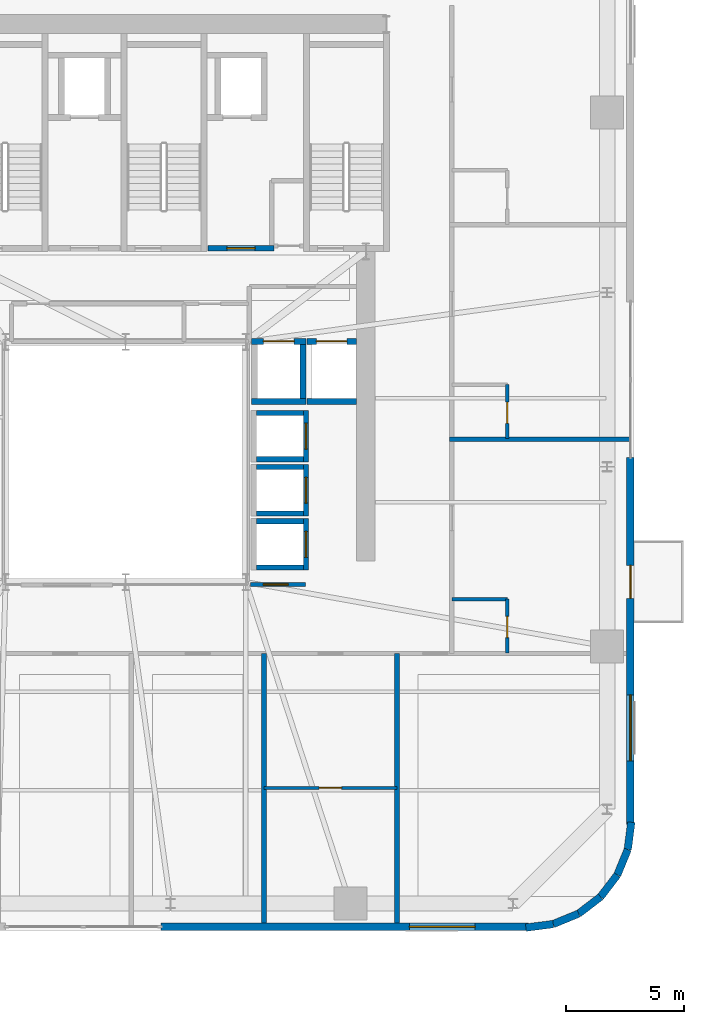
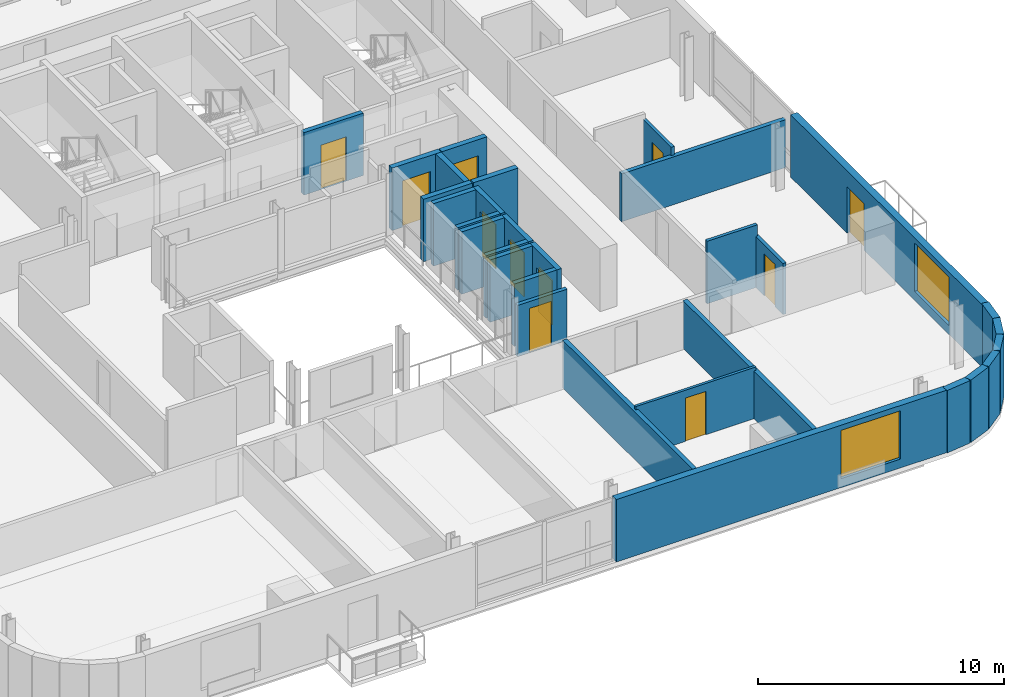
# One storey, part 8 of 13: 31 walls, 11 doors, 2 windows, 13 openings.
"""IFC4 building model written with IfcOpenShell, lengths in metres."""

from ifc_helpers import new_model, si_unit, direction, frame, frame_2d, origin, place, context, subcontext, project, spatial, rectangle, extrude, source, transform, mapped, material, layer, layer_set, type_object, element, fill, save


model = new_model("IFC4")

# Units and contexts
model_context = context("Model", 3, precision=1e-05, world=origin(), true_north=direction((0.0, 1.0)))
body_context = subcontext(model_context, "Body", "Model", "MODEL_VIEW")
ifc_project = project(units=[si_unit("LENGTHUNIT", "METRE"), si_unit("AREAUNIT", "SQUARE_METRE"), si_unit("VOLUMEUNIT", "CUBIC_METRE"), si_unit("PLANEANGLEUNIT", "RADIAN"), si_unit("MASSUNIT", "GRAM", prefix="KILO")], contexts=[model_context])

# Site, building, storey
site_placement = place(None, origin())
site = spatial("IfcSite", under=ifc_project, at=site_placement, CompositionType="ELEMENT")
building_placement = place(site_placement, origin())
building = spatial("IfcBuilding", under=site, at=building_placement, Name="Vardaveli Station Tower", CompositionType="ELEMENT")
storey_placement = place(building_placement, frame((0.0, 0.0, 233.550048828125)))
storey = spatial("IfcBuildingStorey", under=building, at=storey_placement, Name="L60", CompositionType="ELEMENT", Elevation=233.550048828125)

# Wall, opening, window
ifc_material_1 = material(Name="Precast concrete C45/55", Category="concrete")
ifc_layer_1 = layer(ifc_material_1, 0.320068359375, Name="Precast concrete C45/55")
ifc_layer_set_1 = layer_set([ifc_layer_1], Name="Precast concrete C45/55")
wall_type_1 = type_object("IfcWallType", Name="WAL-EXT-STONE-320", PredefinedType="SOLIDWALL", material=ifc_layer_set_1)
shared_shape_1 = source(origin(), body_context, "Body", "SweptSolid", [
    extrude(rectangle(XDim=15.599853515625, YDim=0.320068359375, at=frame_2d((7.7998046875, 0.0))), origin(), (0.0, 0.0, 1.0), 3.099853515625),
])
wall_1_placement = place(storey_placement, frame((37.800048828125, 1.9599609375, 0.0), z_axis=(0.0, 0.0, 1.0), x_axis=(1.0, 0.0, 0.0)))
wall_1 = element("IfcWall", 1, at=wall_1_placement, inside=storey, type_object=wall_type_1, Name="EW-L60-S2", PredefinedType="SOLIDWALL", context=body_context, shape_type="MappedRepresentation", body=[
    mapped(shared_shape_1, transform((0.0, 0.0, 0.0), scale=1.0)),
])
shared_shape_2 = source(origin(), body_context, "Body", "SweptSolid", [
    extrude(rectangle(XDim=2.800048828125, YDim=2.39990234375, at=frame_2d((1.39990234375, 1.199951171875))), frame((0.0, 0.169921875, 0.0), z_axis=(0.0, -1.0, 0.0), x_axis=(1.0, 0.0, 0.0)), (0.0, 0.0, 1.0), 0.340087890625),
])
opening_1_placement = place(wall_1_placement, frame((10.544921875, 0.0, 0.43994140625)))
opening_1 = element("IfcOpeningElement", 2, at=opening_1_placement, cuts=wall_1, Name="Opening W-04", PredefinedType="OPENING", context=body_context, shape_type="MappedRepresentation", body=[
    mapped(shared_shape_2, transform((0.0, 0.0, 0.0), scale=1.0)),
])
ifc_material_2 = material(Name="Low-E solar-control glass", Category="glass")
window_type = type_object("IfcWindowType", Name="WIN-SUITE-2800x2400", PartitioningType="SINGLE_PANEL", PredefinedType="WINDOW", material=ifc_material_2)
shared_shape_3 = source(origin(), body_context, "Body", "SweptSolid", [
    extrude(rectangle(XDim=2.800048828125, YDim=2.39990234375, at=frame_2d((1.39990234375, 1.199951171875))), frame((0.0, 0.030029296875, 0.0), z_axis=(0.0, -1.0, 0.0), x_axis=(1.0, 0.0, 0.0)), (0.0, 0.0, 1.0), 0.06005859375),
])
window_1_placement = place(opening_1_placement, origin())
window_1 = element("IfcWindow", 3, at=window_1_placement, inside=storey, type_object=window_type, Name="WN-L60-S2", OverallHeight=2.39990234375, OverallWidth=2.800048828125, PartitioningType="SINGLE_PANEL", PredefinedType="WINDOW", context=body_context, shape_type="MappedRepresentation", body=[
    mapped(shared_shape_3, transform((0.0, 0.0, 0.0), scale=1.0)),
])
fill(opening_1, window_1)

# Wall, openings, door, window
wall_2_placement = place(storey_placement, frame((57.739990234375, 6.300048828125, 0.0), z_axis=(0.0, 0.0, 1.0), x_axis=(0.0, 1.0, 0.0)))
wall_2 = element("IfcWall", 4, at=wall_2_placement, inside=storey, type_object=wall_type_1, Name="EW-L60-E1", PredefinedType="SOLIDWALL", context=body_context, shape_type="MappedRepresentation", body=[
    mapped(shared_shape_1, transform((0.0, 0.0, 0.0), scale=1.0)),
])
shared_shape_4 = source(origin(), body_context, "Body", "SweptSolid", [
    extrude(rectangle(XDim=1.39990234375, YDim=2.300048828125, at=frame_2d((0.699951171875, 1.14990234375))), frame((0.0, 0.169921875, 0.0), z_axis=(0.0, -1.0, 0.0), x_axis=(1.0, 0.0, 0.0)), (0.0, 0.0, 1.0), 0.340087890625),
])
opening_2_placement = place(wall_2_placement, frame((9.6103515625, 0.0, 0.0)))
opening_2 = element("IfcOpeningElement", 5, at=opening_2_placement, cuts=wall_2, Name="Opening D-09", PredefinedType="OPENING", context=body_context, shape_type="MappedRepresentation", body=[
    mapped(shared_shape_4, transform((0.0, 0.0, 0.0), scale=1.0)),
])
opening_3_placement = place(wall_2_placement, frame((2.705078125, 0.0, 0.43994140625)))
opening_3 = element("IfcOpeningElement", 6, at=opening_3_placement, cuts=wall_2, Name="Opening W-04", PredefinedType="OPENING", context=body_context, shape_type="MappedRepresentation", body=[
    mapped(shared_shape_2, transform((0.0, 0.0, 0.0), scale=1.0)),
])
ifc_material_3 = material(Name="Thermally broken aluminium glass", Category="aluminium")
door_type_1 = type_object("IfcDoorType", Name="DR-LOG-1400x2300", OperationType="DOUBLE_DOOR_SLIDING", PredefinedType="DOOR", material=ifc_material_3)
shared_shape_5 = source(origin(), body_context, "Body", "SweptSolid", [
    extrude(rectangle(XDim=1.39990234375, YDim=2.300048828125, at=frame_2d((0.699951171875, 1.14990234375))), frame((0.0, 0.02490234375, 0.0), z_axis=(0.0, -1.0, 0.0), x_axis=(1.0, 0.0, 0.0)), (0.0, 0.0, 1.0), 0.050048828125),
])
door_1_placement = place(opening_2_placement, frame((1.39990234375, 0.0, 0.0), z_axis=(0.0, 0.0, 1.0), x_axis=(-1.0, 0.0, 0.0)))
door_1 = element("IfcDoor", 7, at=door_1_placement, inside=storey, type_object=door_type_1, Name="DLG-L60-E", OperationType="DOUBLE_DOOR_SLIDING", OverallHeight=2.300048828125, OverallWidth=1.39990234375, PredefinedType="DOOR", context=body_context, shape_type="MappedRepresentation", body=[
    mapped(shared_shape_5, transform((0.0, 0.0, 0.0), scale=1.0)),
])
fill(opening_2, door_1)
window_2_placement = place(opening_3_placement, origin())
window_2 = element("IfcWindow", 8, at=window_2_placement, inside=storey, type_object=window_type, Name="WN-L60-E1", OverallHeight=2.39990234375, OverallWidth=2.800048828125, PartitioningType="SINGLE_PANEL", PredefinedType="WINDOW", context=body_context, shape_type="MappedRepresentation", body=[
    mapped(shared_shape_3, transform((0.0, 0.0, 0.0), scale=1.0)),
])
fill(opening_3, window_2)

# Walls
shared_shape_6 = source(origin(), body_context, "Body", "SweptSolid", [
    extrude(rectangle(XDim=1.170654296875, YDim=0.320068359375, at=frame_2d((0.58544921875, 0.0))), origin(), (0.0, 0.0, 1.0), 3.099853515625),
])
wall_3_placement = place(storey_placement, frame((57.62548828125, 5.23974609375, 0.0), z_axis=(0.0, 0.0, 1.0), x_axis=(0.128269133229, 0.991739395941, 0.0)))
element("IfcWall", 9, at=wall_3_placement, inside=storey, type_object=wall_type_1, Name="EW-L60-CR2-6", PredefinedType="SOLIDWALL", context=body_context, shape_type="MappedRepresentation", body=[
    mapped(shared_shape_6, transform((0.0, 0.0, 0.0), scale=1.0)),
])
shared_shape_7 = source(origin(), body_context, "Body", "SweptSolid", [
    extrude(rectangle(XDim=1.1689453125, YDim=0.320068359375, at=frame_2d((0.58447265625, 0.0))), origin(), (0.0, 0.0, 1.0), 3.099853515625),
])
for number, where, z_axis, x_axis, name in (
    (10, (56.46875, 3.231201171875, 0.0), (0.0, 0.0, 1.0), (0.608387696831, 0.793639975269, 0.0), "EW-L60-CR2-4"),
    (11, (57.179931640625, 4.158935546875, 0.0), (0.0, 0.0, 1.0), (0.381127904695, 0.924522320046, 0.0), "EW-L60-CR2-5"),
):
    element("IfcWall", number, at=place(storey_placement, frame(where, z_axis=z_axis, x_axis=x_axis)), inside=storey, type_object=wall_type_1, Name=name, PredefinedType="SOLIDWALL", context=body_context, shape_type="MappedRepresentation", body=[
        mapped(shared_shape_7, transform((0.0, 0.0, 0.0), scale=1.0)),
    ])
shared_shape_8 = source(origin(), body_context, "Body", "SweptSolid", [
    extrude(rectangle(XDim=1.168701171875, YDim=0.320068359375, at=frame_2d((0.58447265625, 0.0))), origin(), (0.0, 0.0, 1.0), 3.099853515625),
])
wall_4_placement = place(storey_placement, frame((55.541259765625, 2.520263671875, 0.0), z_axis=(0.0, 0.0, 1.0), x_axis=(0.793663520347, 0.608356981114, 0.0)))
element("IfcWall", 12, at=wall_4_placement, inside=storey, type_object=wall_type_1, Name="EW-L60-CR2-3", PredefinedType="SOLIDWALL", context=body_context, shape_type="MappedRepresentation", body=[
    mapped(shared_shape_8, transform((0.0, 0.0, 0.0), scale=1.0)),
])
shared_shape_9 = source(origin(), body_context, "Body", "SweptSolid", [
    extrude(rectangle(XDim=1.16943359375, YDim=0.320068359375, at=frame_2d((0.584716796875, 0.0))), origin(), (0.0, 0.0, 1.0), 3.099853515625),
])
wall_5_placement = place(storey_placement, frame((54.460205078125, 2.074462890625, 0.0), z_axis=(0.0, 0.0, 1.0), x_axis=(0.924479075121, 0.381232789334, 0.0)))
element("IfcWall", 13, at=wall_5_placement, inside=storey, type_object=wall_type_1, Name="EW-L60-CR2-2", PredefinedType="SOLIDWALL", context=body_context, shape_type="MappedRepresentation", body=[
    mapped(shared_shape_9, transform((0.0, 0.0, 0.0), scale=1.0)),
])
shared_shape_10 = source(origin(), body_context, "Body", "SweptSolid", [
    extrude(rectangle(XDim=1.170166015625, YDim=0.320068359375, at=frame_2d((0.5849609375, 0.0))), origin(), (0.0, 0.0, 1.0), 3.099853515625),
])
wall_6_placement = place(storey_placement, frame((53.299560546875, 1.924560546875, 0.0), z_axis=(0.0, 0.0, 1.0), x_axis=(0.991762485493, 0.128090485085, 0.0)))
element("IfcWall", 14, at=wall_6_placement, inside=storey, type_object=wall_type_1, Name="EW-L60-CR2-1", PredefinedType="SOLIDWALL", context=body_context, shape_type="MappedRepresentation", body=[
    mapped(shared_shape_10, transform((0.0, 0.0, 0.0), scale=1.0)),
])

# Wall, opening, door
ifc_material_4 = material(Name="Concrete C40/50", Category="concrete")
ifc_layer_2 = layer(ifc_material_4, 0.219970703125, Name="Concrete C40/50")
ifc_layer_set_2 = layer_set([ifc_layer_2], Name="Concrete C40/50")
wall_type_2 = type_object("IfcWallType", Name="WAL-FFLOBBY-220", PredefinedType="SOLIDWALL", material=ifc_layer_set_2)
shared_shape_11 = source(origin(), body_context, "Body", "SweptSolid", [
    extrude(rectangle(XDim=2.800048828125, YDim=0.219970703125, at=frame_2d((1.39990234375, 0.0))), origin(), (0.0, 0.0, 1.0), 3.099853515625),
])
wall_7_placement = place(storey_placement, frame((39.800048828125, 30.780029296875, 0.0), z_axis=(0.0, 0.0, 1.0), x_axis=(1.0, 0.0, 0.0)))
wall_7 = element("IfcWall", 15, at=wall_7_placement, inside=storey, type_object=wall_type_2, Name="W-L60-FFL2S", PredefinedType="SOLIDWALL", context=body_context, shape_type="MappedRepresentation", body=[
    mapped(shared_shape_11, transform((0.0, 0.0, 0.0), scale=1.0)),
])
shared_shape_12 = source(origin(), body_context, "Body", "SweptSolid", [
    extrude(rectangle(XDim=1.199951171875, YDim=2.199951171875, at=frame_2d((0.60009765625, 1.10009765625))), frame((0.0, 0.1201171875, 0.0), z_axis=(0.0, -1.0, 0.0), x_axis=(1.0, 0.0, 0.0)), (0.0, 0.0, 1.0), 0.239990234375),
])
opening_4_placement = place(wall_7_placement, frame((0.800048828125, 0.0, 0.0)))
opening_4 = element("IfcOpeningElement", 16, at=opening_4_placement, cuts=wall_7, Name="Opening D-03", PredefinedType="OPENING", context=body_context, shape_type="MappedRepresentation", body=[
    mapped(shared_shape_12, transform((0.0, 0.0, 0.0), scale=1.0)),
])
ifc_material_5 = material(Name="Steel smokeproof fire doorset", Category="steel")
door_type_2 = type_object("IfcDoorType", Name="DR-FFL-1200x2200", OperationType="NOTDEFINED", PredefinedType="DOOR", material=ifc_material_5)
shared_shape_13 = source(origin(), body_context, "Body", "SweptSolid", [
    extrude(rectangle(XDim=1.199951171875, YDim=2.199951171875, at=frame_2d((0.60009765625, 1.10009765625))), frame((0.0, 0.02490234375, 0.0), z_axis=(0.0, -1.0, 0.0), x_axis=(1.0, 0.0, 0.0)), (0.0, 0.0, 1.0), 0.050048828125),
])
door_2_placement = place(opening_4_placement, origin())
door_2 = element("IfcDoor", 17, at=door_2_placement, inside=storey, type_object=door_type_2, Name="DFFL2-L60", OperationType="SINGLE_SWING_RIGHT", OverallHeight=2.199951171875, OverallWidth=1.199951171875, PredefinedType="DOOR", context=body_context, shape_type="MappedRepresentation", body=[
    mapped(shared_shape_13, transform((0.0, 0.0, 0.0), scale=1.0)),
])
fill(opening_4, door_2)

# Walls
shared_shape_14 = source(origin(), body_context, "Body", "SweptSolid", [
    extrude(rectangle(XDim=2.0, YDim=0.219970703125, at=frame_2d((1.0, 0.0))), origin(), (0.0, 0.0, 1.0), 3.099853515625),
])
for number, where, z_axis, x_axis, name in (
    (18, (41.85009765625, 21.81494140625, 0.0), (0.0, 0.0, 1.0), (1.0, 0.0, 0.0), "SHW-HL3-01-L60-S"),
    (19, (41.85009765625, 23.784912109375, 0.0), (0.0, 0.0, 1.0), (1.0, 0.0, 0.0), "SHW-HL3-01-L60-N"),
    (20, (41.85009765625, 19.514892578125, 0.0), (0.0, 0.0, 1.0), (1.0, 0.0, 0.0), "SHW-HL3-02-L60-S"),
    (21, (41.85009765625, 21.485107421875, 0.0), (0.0, 0.0, 1.0), (1.0, 0.0, 0.0), "SHW-HL3-02-L60-N"),
    (22, (41.85009765625, 17.215087890625, 0.0), (0.0, 0.0, 1.0), (1.0, 0.0, 0.0), "SHW-HL3-03-L60-S"),
    (23, (41.85009765625, 19.18505859375, 0.0), (0.0, 0.0, 1.0), (1.0, 0.0, 0.0), "SHW-HL3-03-L60-N"),
):
    element("IfcWall", number, at=place(storey_placement, frame(where, z_axis=z_axis, x_axis=x_axis)), inside=storey, type_object=wall_type_2, Name=name, PredefinedType="SOLIDWALL", context=body_context, shape_type="MappedRepresentation", body=[
        mapped(shared_shape_14, transform((0.0, 0.0, 0.0), scale=1.0)),
    ])

# Wall, opening, door
shared_shape_15 = source(origin(), body_context, "Body", "SweptSolid", [
    extrude(rectangle(XDim=2.18994140625, YDim=0.219970703125, at=frame_2d((1.094970703125, 0.0))), origin(), (0.0, 0.0, 1.0), 3.099853515625),
])
wall_8_placement = place(storey_placement, frame((43.9599609375, 21.705078125, 0.0), z_axis=(0.0, 0.0, 1.0), x_axis=(0.0, 1.0, 0.0)))
wall_8 = element("IfcWall", 24, at=wall_8_placement, inside=storey, type_object=wall_type_2, Name="SHW-HL3-01-L60-E", PredefinedType="SOLIDWALL", context=body_context, shape_type="MappedRepresentation", body=[
    mapped(shared_shape_15, transform((0.0, 0.0, 0.0), scale=1.0)),
])
shared_shape_16 = source(origin(), body_context, "Body", "SweptSolid", [
    extrude(rectangle(XDim=1.10009765625, YDim=2.199951171875, at=frame_2d((0.550048828125, 1.10009765625))), frame((0.0, 0.1201171875, 0.0), z_axis=(0.0, -1.0, 0.0), x_axis=(1.0, 0.0, 0.0)), (0.0, 0.0, 1.0), 0.239990234375),
])
opening_5_placement = place(wall_8_placement, frame((0.544921875, 0.0, 0.0)))
opening_5 = element("IfcOpeningElement", 25, at=opening_5_placement, cuts=wall_8, Name="Opening LD-01", PredefinedType="OPENING", context=body_context, shape_type="MappedRepresentation", body=[
    mapped(shared_shape_16, transform((0.0, 0.0, 0.0), scale=1.0)),
])
ifc_material_6 = material(Name="Brushed stainless steel", Category="steel")
door_type_3 = type_object("IfcDoorType", Name="DR-LD-1100x2200", OperationType="DOUBLE_DOOR_SLIDING", PredefinedType="DOOR", material=ifc_material_6)
shared_shape_17 = source(origin(), body_context, "Body", "SweptSolid", [
    extrude(rectangle(XDim=1.10009765625, YDim=2.199951171875, at=frame_2d((0.550048828125, 1.10009765625))), frame((0.0, 0.02490234375, 0.0), z_axis=(0.0, -1.0, 0.0), x_axis=(1.0, 0.0, 0.0)), (0.0, 0.0, 1.0), 0.050048828125),
])
door_3_placement = place(opening_5_placement, origin())
door_3 = element("IfcDoor", 26, at=door_3_placement, inside=storey, type_object=door_type_3, Name="LD-HL3-01-L60", OperationType="DOUBLE_DOOR_SLIDING", OverallHeight=2.199951171875, OverallWidth=1.10009765625, PredefinedType="DOOR", context=body_context, shape_type="MappedRepresentation", body=[
    mapped(shared_shape_17, transform((0.0, 0.0, 0.0), scale=1.0)),
])
fill(opening_5, door_3)

wall_9_placement = place(storey_placement, frame((43.9599609375, 19.405029296875, 0.0), z_axis=(0.0, 0.0, 1.0), x_axis=(0.0, 1.0, 0.0)))
wall_9 = element("IfcWall", 27, at=wall_9_placement, inside=storey, type_object=wall_type_2, Name="SHW-HL3-02-L60-E", PredefinedType="SOLIDWALL", context=body_context, shape_type="MappedRepresentation", body=[
    mapped(shared_shape_15, transform((0.0, 0.0, 0.0), scale=1.0)),
])
opening_6_placement = place(wall_9_placement, frame((0.544921875, 0.0, 0.0)))
opening_6 = element("IfcOpeningElement", 28, at=opening_6_placement, cuts=wall_9, Name="Opening LD-01", PredefinedType="OPENING", context=body_context, shape_type="MappedRepresentation", body=[
    mapped(shared_shape_16, transform((0.0, 0.0, 0.0), scale=1.0)),
])
door_4_placement = place(opening_6_placement, origin())
door_4 = element("IfcDoor", 29, at=door_4_placement, inside=storey, type_object=door_type_3, Name="LD-HL3-02-L60", OperationType="DOUBLE_DOOR_SLIDING", OverallHeight=2.199951171875, OverallWidth=1.10009765625, PredefinedType="DOOR", context=body_context, shape_type="MappedRepresentation", body=[
    mapped(shared_shape_17, transform((0.0, 0.0, 0.0), scale=1.0)),
])
fill(opening_6, door_4)

wall_10_placement = place(storey_placement, frame((43.9599609375, 17.10498046875, 0.0), z_axis=(0.0, 0.0, 1.0), x_axis=(0.0, 1.0, 0.0)))
wall_10 = element("IfcWall", 30, at=wall_10_placement, inside=storey, type_object=wall_type_2, Name="SHW-HL3-03-L60-E", PredefinedType="SOLIDWALL", context=body_context, shape_type="MappedRepresentation", body=[
    mapped(shared_shape_15, transform((0.0, 0.0, 0.0), scale=1.0)),
])
opening_7_placement = place(wall_10_placement, frame((0.544921875, 0.0, 0.0)))
opening_7 = element("IfcOpeningElement", 31, at=opening_7_placement, cuts=wall_10, Name="Opening LD-01", PredefinedType="OPENING", context=body_context, shape_type="MappedRepresentation", body=[
    mapped(shared_shape_16, transform((0.0, 0.0, 0.0), scale=1.0)),
])
door_5_placement = place(opening_7_placement, origin())
door_5 = element("IfcDoor", 32, at=door_5_placement, inside=storey, type_object=door_type_3, Name="LD-HL3-03-L60", OperationType="DOUBLE_DOOR_SLIDING", OverallHeight=2.199951171875, OverallWidth=1.10009765625, PredefinedType="DOOR", context=body_context, shape_type="MappedRepresentation", body=[
    mapped(shared_shape_17, transform((0.0, 0.0, 0.0), scale=1.0)),
])
fill(opening_7, door_5)

# Wall
ifc_layer_3 = layer(ifc_material_4, 0.25, Name="Concrete C40/50")
ifc_layer_set_3 = layer_set([ifc_layer_3], Name="Concrete C40/50")
wall_type_3 = type_object("IfcWallType", Name="WAL-SHAFT-250", PredefinedType="SOLIDWALL", material=ifc_layer_set_3)
shared_shape_18 = source(origin(), body_context, "Body", "SweptSolid", [
    extrude(rectangle(XDim=2.300048828125, YDim=0.25, at=frame_2d((1.14990234375, 0.0))), origin(), (0.0, 0.0, 1.0), 3.099853515625),
])
wall_11_placement = place(storey_placement, frame((41.64990234375, 24.27490234375, 0.0), z_axis=(0.0, 0.0, 1.0), x_axis=(1.0, 0.0, 0.0)))
element("IfcWall", 33, at=wall_11_placement, inside=storey, type_object=wall_type_3, Name="SHW-SRV-01-L60-S", PredefinedType="SOLIDWALL", context=body_context, shape_type="MappedRepresentation", body=[
    mapped(shared_shape_18, transform((0.0, 0.0, 0.0), scale=1.0)),
])

# Wall, opening, door
wall_12_placement = place(storey_placement, frame((41.64990234375, 26.824951171875, 0.0), z_axis=(0.0, 0.0, 1.0), x_axis=(1.0, 0.0, 0.0)))
wall_12 = element("IfcWall", 34, at=wall_12_placement, inside=storey, type_object=wall_type_3, Name="SHW-SRV-01-L60-N", PredefinedType="SOLIDWALL", context=body_context, shape_type="MappedRepresentation", body=[
    mapped(shared_shape_18, transform((0.0, 0.0, 0.0), scale=1.0)),
])
shared_shape_19 = source(origin(), body_context, "Body", "SweptSolid", [
    extrude(rectangle(XDim=1.300048828125, YDim=2.300048828125, at=frame_2d((0.64990234375, 1.14990234375))), frame((0.0, 0.135009765625, 0.0), z_axis=(0.0, -1.0, 0.0), x_axis=(1.0, 0.0, 0.0)), (0.0, 0.0, 1.0), 0.27001953125),
])
opening_8_placement = place(wall_12_placement, frame((0.5, 0.0, 0.0)))
opening_8 = element("IfcOpeningElement", 35, at=opening_8_placement, cuts=wall_12, Name="Opening LD-03", PredefinedType="OPENING", context=body_context, shape_type="MappedRepresentation", body=[
    mapped(shared_shape_19, transform((0.0, 0.0, 0.0), scale=1.0)),
])
door_type_4 = type_object("IfcDoorType", Name="DR-LD-1300x2300", OperationType="DOUBLE_DOOR_SLIDING", PredefinedType="DOOR", material=ifc_material_6)
shared_shape_20 = source(origin(), body_context, "Body", "SweptSolid", [
    extrude(rectangle(XDim=1.300048828125, YDim=2.300048828125, at=frame_2d((0.64990234375, 1.14990234375))), frame((0.0, 0.02490234375, 0.0), z_axis=(0.0, -1.0, 0.0), x_axis=(1.0, 0.0, 0.0)), (0.0, 0.0, 1.0), 0.050048828125),
])
door_6_placement = place(opening_8_placement, origin())
door_6 = element("IfcDoor", 36, at=door_6_placement, inside=storey, type_object=door_type_4, Name="LD-SRV-01-L60", OperationType="DOUBLE_DOOR_SLIDING", OverallHeight=2.300048828125, OverallWidth=1.300048828125, PredefinedType="DOOR", context=body_context, shape_type="MappedRepresentation", body=[
    mapped(shared_shape_20, transform((0.0, 0.0, 0.0), scale=1.0)),
])
fill(opening_8, door_6)

# Walls
wall_13_placement = place(storey_placement, frame((43.824951171875, 24.39990234375, 0.0), z_axis=(0.0, 0.0, 1.0), x_axis=(0.0, 1.0, 0.0)))
element("IfcWall", 37, at=wall_13_placement, inside=storey, type_object=wall_type_3, Name="SHW-SRV-01-L60-E", PredefinedType="SOLIDWALL", context=body_context, shape_type="MappedRepresentation", body=[
    mapped(shared_shape_18, transform((0.0, 0.0, 0.0), scale=1.0)),
])
shared_shape_21 = source(origin(), body_context, "Body", "SweptSolid", [
    extrude(rectangle(XDim=2.10009765625, YDim=0.25, at=frame_2d((1.050048828125, 0.0))), origin(), (0.0, 0.0, 1.0), 3.099853515625),
])
wall_14_placement = place(storey_placement, frame((44.0, 24.27490234375, 0.0), z_axis=(0.0, 0.0, 1.0), x_axis=(1.0, 0.0, 0.0)))
element("IfcWall", 38, at=wall_14_placement, inside=storey, type_object=wall_type_3, Name="SHW-SRV-02-L60-S", PredefinedType="SOLIDWALL", context=body_context, shape_type="MappedRepresentation", body=[
    mapped(shared_shape_21, transform((0.0, 0.0, 0.0), scale=1.0)),
])

# Wall, opening, door
wall_15_placement = place(storey_placement, frame((44.0, 26.824951171875, 0.0), z_axis=(0.0, 0.0, 1.0), x_axis=(1.0, 0.0, 0.0)))
wall_15 = element("IfcWall", 39, at=wall_15_placement, inside=storey, type_object=wall_type_3, Name="SHW-SRV-02-L60-N", PredefinedType="SOLIDWALL", context=body_context, shape_type="MappedRepresentation", body=[
    mapped(shared_shape_21, transform((0.0, 0.0, 0.0), scale=1.0)),
])
opening_9_placement = place(wall_15_placement, frame((0.39990234375, 0.0, 0.0)))
opening_9 = element("IfcOpeningElement", 40, at=opening_9_placement, cuts=wall_15, Name="Opening LD-03", PredefinedType="OPENING", context=body_context, shape_type="MappedRepresentation", body=[
    mapped(shared_shape_19, transform((0.0, 0.0, 0.0), scale=1.0)),
])
door_7_placement = place(opening_9_placement, origin())
door_7 = element("IfcDoor", 41, at=door_7_placement, inside=storey, type_object=door_type_4, Name="LD-SRV-02-L60", OperationType="DOUBLE_DOOR_SLIDING", OverallHeight=2.300048828125, OverallWidth=1.300048828125, PredefinedType="DOOR", context=body_context, shape_type="MappedRepresentation", body=[
    mapped(shared_shape_20, transform((0.0, 0.0, 0.0), scale=1.0)),
])
fill(opening_9, door_7)

ifc_material_7 = material(Name="Gypsum board stud partition")
ifc_layer_4 = layer(ifc_material_7, 0.125, Name="Gypsum board stud partition")
ifc_layer_set_4 = layer_set([ifc_layer_4], Name="Gypsum board stud partition")
wall_type_4 = type_object("IfcWallType", Name="WAL-INT-125", PredefinedType="PARTITIONING", material=ifc_layer_set_4)
shared_shape_22 = source(origin(), body_context, "Body", "SweptSolid", [
    extrude(rectangle(XDim=5.64208984375, YDim=0.125, at=frame_2d((2.821044921875, 0.0))), origin(), (0.0, 0.0, 1.0), 2.5419921875),
])
wall_16_placement = place(storey_placement, frame((42.177978515625, 7.860107421875, 0.0), z_axis=(0.0, 0.0, 1.0), x_axis=(1.0, 0.0, 0.0)))
wall_16 = element("IfcWall", 42, at=wall_16_placement, inside=storey, type_object=wall_type_4, Name="W-L60-SCM5", PredefinedType="PARTITIONING", context=body_context, shape_type="MappedRepresentation", body=[
    mapped(shared_shape_22, transform((0.0, 0.0, 0.0), scale=1.0)),
])
shared_shape_23 = source(origin(), body_context, "Body", "SweptSolid", [
    extrude(rectangle(XDim=0.949951171875, YDim=2.14990234375, at=frame_2d((0.47509765625, 1.074951171875))), frame((0.0, 0.072509765625, 0.0), z_axis=(0.0, -1.0, 0.0), x_axis=(1.0, 0.0, 0.0)), (0.0, 0.0, 1.0), 0.14501953125),
])
opening_10_placement = place(wall_16_placement, frame((2.34130859375, 0.0, 0.0)))
opening_10 = element("IfcOpeningElement", 43, at=opening_10_placement, cuts=wall_16, Name="Opening D-11", PredefinedType="OPENING", context=body_context, shape_type="MappedRepresentation", body=[
    mapped(shared_shape_23, transform((0.0, 0.0, 0.0), scale=1.0)),
])
ifc_material_8 = material(Name="Oak veneer internal suite door")
door_type_5 = type_object("IfcDoorType", Name="DR-INT-950x2150", OperationType="NOTDEFINED", PredefinedType="DOOR", material=ifc_material_8)
shared_shape_24 = source(origin(), body_context, "Body", "SweptSolid", [
    extrude(rectangle(XDim=0.949951171875, YDim=2.14990234375, at=frame_2d((0.47509765625, 1.074951171875))), frame((0.0, 0.02490234375, 0.0), z_axis=(0.0, -1.0, 0.0), x_axis=(1.0, 0.0, 0.0)), (0.0, 0.0, 1.0), 0.050048828125),
])
door_8_placement = place(opening_10_placement, origin())
door_8 = element("IfcDoor", 44, at=door_8_placement, inside=storey, type_object=door_type_5, Name="D-L60-SCF5", OperationType="SINGLE_SWING_RIGHT", OverallHeight=2.14990234375, OverallWidth=0.949951171875, PredefinedType="DOOR", context=body_context, shape_type="MappedRepresentation", body=[
    mapped(shared_shape_24, transform((0.0, 0.0, 0.0), scale=1.0)),
])
fill(opening_10, door_8)

ifc_material_9 = material(Name="Fire-rated gypsum stud partition")
ifc_layer_5 = layer(ifc_material_9, 0.179931640625, Name="Fire-rated gypsum stud partition")
ifc_layer_set_5 = layer_set([ifc_layer_5], Name="Fire-rated gypsum stud partition")
wall_type_5 = type_object("IfcWallType", Name="WAL-CORR-180", PredefinedType="PARTITIONING", material=ifc_layer_set_5)
shared_shape_25 = source(origin(), body_context, "Body", "SweptSolid", [
    extrude(rectangle(XDim=2.329833984375, YDim=0.179931640625, at=frame_2d((1.1650390625, 0.0))), origin(), (0.0, 0.0, 1.0), 2.5419921875),
])
wall_17_placement = place(storey_placement, frame((41.60009765625, 16.5, 0.0), z_axis=(0.0, 0.0, 1.0), x_axis=(1.0, 0.0, 0.0)))
wall_17 = element("IfcWall", 45, at=wall_17_placement, inside=storey, type_object=wall_type_5, Name="W-L60-ATE-S", PredefinedType="PARTITIONING", context=body_context, shape_type="MappedRepresentation", body=[
    mapped(shared_shape_25, transform((0.0, 0.0, 0.0), scale=1.0)),
])
shared_shape_26 = source(origin(), body_context, "Body", "SweptSolid", [
    extrude(rectangle(XDim=1.050048828125, YDim=2.199951171875, at=frame_2d((0.52490234375, 1.10009765625))), frame((0.0, 0.10009765625, 0.0), z_axis=(0.0, -1.0, 0.0), x_axis=(1.0, 0.0, 0.0)), (0.0, 0.0, 1.0), 0.199951171875),
])
opening_11_placement = place(wall_17_placement, frame((0.550048828125, 0.0, 0.0)))
opening_11 = element("IfcOpeningElement", 46, at=opening_11_placement, cuts=wall_17, Name="Opening D-05", PredefinedType="OPENING", context=body_context, shape_type="MappedRepresentation", body=[
    mapped(shared_shape_26, transform((0.0, 0.0, 0.0), scale=1.0)),
])
ifc_material_10 = material(Name="Walnut veneer acoustic fire door")
door_type_6 = type_object("IfcDoorType", Name="DR-SUITE-1050x2200", OperationType="NOTDEFINED", PredefinedType="DOOR", material=ifc_material_10)
shared_shape_27 = source(origin(), body_context, "Body", "SweptSolid", [
    extrude(rectangle(XDim=1.050048828125, YDim=2.199951171875, at=frame_2d((0.52490234375, 1.10009765625))), frame((0.0, 0.02490234375, 0.0), z_axis=(0.0, -1.0, 0.0), x_axis=(1.0, 0.0, 0.0)), (0.0, 0.0, 1.0), 0.050048828125),
])
door_9_placement = place(opening_11_placement, origin())
door_9 = element("IfcDoor", 47, at=door_9_placement, inside=storey, type_object=door_type_6, Name="D-L60-ATE1", OperationType="SINGLE_SWING_RIGHT", OverallHeight=2.199951171875, OverallWidth=1.050048828125, PredefinedType="DOOR", context=body_context, shape_type="MappedRepresentation", body=[
    mapped(shared_shape_27, transform((0.0, 0.0, 0.0), scale=1.0)),
])
fill(opening_11, door_9)

ifc_material_11 = material(Name="Moisture-resistant stud partition")
ifc_layer_6 = layer(ifc_material_11, 0.14990234375, Name="Moisture-resistant stud partition")
ifc_layer_set_6 = layer_set([ifc_layer_6], Name="Moisture-resistant stud partition")
wall_type_6 = type_object("IfcWallType", Name="WAL-WET-150", PredefinedType="PARTITIONING", material=ifc_layer_set_6)
shared_shape_28 = source(origin(), body_context, "Body", "SweptSolid", [
    extrude(rectangle(XDim=2.289794921875, YDim=0.14990234375, at=frame_2d((1.14501953125, 0.0))), origin(), (0.0, 0.0, 1.0), 2.5419921875),
])
wall_18_placement = place(storey_placement, frame((52.510009765625, 13.590087890625, 0.0), z_axis=(0.0, 0.0, 1.0), x_axis=(0.0, 1.0, 0.0)))
wall_18 = element("IfcWall", 48, at=wall_18_placement, inside=storey, type_object=wall_type_6, Name="W-L60-BE1-E", PredefinedType="PARTITIONING", context=body_context, shape_type="MappedRepresentation", body=[
    mapped(shared_shape_28, transform((0.0, 0.0, 0.0), scale=1.0)),
])
shared_shape_29 = source(origin(), body_context, "Body", "SweptSolid", [
    extrude(rectangle(XDim=0.89990234375, YDim=2.10009765625, at=frame_2d((0.449951171875, 1.050048828125))), frame((0.0, 0.0849609375, 0.0), z_axis=(0.0, -1.0, 0.0), x_axis=(1.0, 0.0, 0.0)), (0.0, 0.0, 1.0), 0.169921875),
])
opening_12_placement = place(wall_18_placement, frame((0.64990234375, 0.0, 0.0)))
opening_12 = element("IfcOpeningElement", 49, at=opening_12_placement, cuts=wall_18, Name="Opening D-08", PredefinedType="OPENING", context=body_context, shape_type="MappedRepresentation", body=[
    mapped(shared_shape_29, transform((0.0, 0.0, 0.0), scale=1.0)),
])
ifc_material_12 = material(Name="Moisture-resistant oak door")
door_type_7 = type_object("IfcDoorType", Name="DR-BATH-900x2100", OperationType="NOTDEFINED", PredefinedType="DOOR", material=ifc_material_12)
shared_shape_30 = source(origin(), body_context, "Body", "SweptSolid", [
    extrude(rectangle(XDim=0.89990234375, YDim=2.10009765625, at=frame_2d((0.449951171875, 1.050048828125))), frame((0.0, 0.02490234375, 0.0), z_axis=(0.0, -1.0, 0.0), x_axis=(1.0, 0.0, 0.0)), (0.0, 0.0, 1.0), 0.050048828125),
])
door_10_placement = place(opening_12_placement, origin())
door_10 = element("IfcDoor", 50, at=door_10_placement, inside=storey, type_object=door_type_7, Name="D-L60-BE1", OperationType="SINGLE_SWING_RIGHT", OverallHeight=2.10009765625, OverallWidth=0.89990234375, PredefinedType="DOOR", context=body_context, shape_type="MappedRepresentation", body=[
    mapped(shared_shape_30, transform((0.0, 0.0, 0.0), scale=1.0)),
])
fill(opening_12, door_10)

shared_shape_31 = source(origin(), body_context, "Body", "SweptSolid", [
    extrude(rectangle(XDim=2.289794921875, YDim=0.14990234375, at=frame_2d((1.14501953125, 0.0))), origin(), (0.0, 0.0, 1.0), 2.7919921875),
])
wall_19_placement = place(storey_placement, frame((52.510009765625, 22.693115234375, 0.0), z_axis=(0.0, 0.0, 1.0), x_axis=(0.0, 1.0, 0.0)))
wall_19 = element("IfcWall", 51, at=wall_19_placement, inside=storey, type_object=wall_type_6, Name="W-L60-BE2-E", PredefinedType="PARTITIONING", context=body_context, shape_type="MappedRepresentation", body=[
    mapped(shared_shape_31, transform((0.0, 0.0, 0.0), scale=1.0)),
])
opening_13_placement = place(wall_19_placement, frame((0.64990234375, 0.0, 0.0)))
opening_13 = element("IfcOpeningElement", 52, at=opening_13_placement, cuts=wall_19, Name="Opening D-08", PredefinedType="OPENING", context=body_context, shape_type="MappedRepresentation", body=[
    mapped(shared_shape_29, transform((0.0, 0.0, 0.0), scale=1.0)),
])
door_11_placement = place(opening_13_placement, origin())
door_11 = element("IfcDoor", 53, at=door_11_placement, inside=storey, type_object=door_type_7, Name="D-L60-BE2", OperationType="SINGLE_SWING_LEFT", OverallHeight=2.10009765625, OverallWidth=0.89990234375, PredefinedType="DOOR", context=body_context, shape_type="MappedRepresentation", body=[
    mapped(shared_shape_30, transform((0.0, 0.0, 0.0), scale=1.0)),
])
fill(opening_13, door_11)

# Walls
ifc_material_13 = material(Name="Acoustic twin-stud gypsum partition")
ifc_layer_7 = layer(ifc_material_13, 0.199951171875, Name="Acoustic twin-stud gypsum partition")
ifc_layer_set_7 = layer_set([ifc_layer_7], Name="Acoustic twin-stud gypsum partition")
wall_type_7 = type_object("IfcWallType", Name="WAL-PARTY-200", PredefinedType="PARTITIONING", material=ifc_layer_set_7)
shared_shape_32 = source(origin(), body_context, "Body", "SweptSolid", [
    extrude(rectangle(XDim=11.447998046875, YDim=0.199951171875, at=frame_2d((5.72412109375, 0.0))), origin(), (0.0, 0.0, 1.0), 2.3759765625),
])
for number, where, z_axis, x_axis, name in (
    (54, (42.177978515625, 2.1220703125, 0.0), (0.0, 0.0, 1.0), (0.0, 1.0, 0.0), "W-L60-PS4"),
    (55, (47.820068359375, 2.1220703125, 0.0), (0.0, 0.0, 1.0), (0.0, 1.0, 0.0), "W-L60-PS5"),
):
    element("IfcWall", number, at=place(storey_placement, frame(where, z_axis=z_axis, x_axis=x_axis)), inside=storey, type_object=wall_type_7, Name=name, PredefinedType="PARTITIONING", context=body_context, shape_type="MappedRepresentation", body=[
        mapped(shared_shape_32, transform((0.0, 0.0, 0.0), scale=1.0)),
    ])
shared_shape_33 = source(origin(), body_context, "Body", "SweptSolid", [
    extrude(rectangle(XDim=7.719970703125, YDim=0.199951171875, at=frame_2d((3.85986328125, 0.0))), origin(), (0.0, 0.0, 1.0), 2.3759765625),
])
wall_20_placement = place(storey_placement, frame((50.050048828125, 22.673095703125, 0.0), z_axis=(0.0, 0.0, 1.0), x_axis=(1.0, 0.0, 0.0)))
element("IfcWall", 56, at=wall_20_placement, inside=storey, type_object=wall_type_7, Name="W-L60-PE1", PredefinedType="PARTITIONING", context=body_context, shape_type="MappedRepresentation", body=[
    mapped(shared_shape_33, transform((0.0, 0.0, 0.0), scale=1.0)),
])
shared_shape_34 = source(origin(), body_context, "Body", "SweptSolid", [
    extrude(rectangle(XDim=2.360107421875, YDim=0.14990234375, at=frame_2d((1.18017578125, 0.0))), origin(), (0.0, 0.0, 1.0), 3.099853515625),
])
wall_21_placement = place(storey_placement, frame((50.14990234375, 15.8798828125, 0.0), z_axis=(0.0, 0.0, 1.0), x_axis=(1.0, 0.0, 0.0)))
element("IfcWall", 57, at=wall_21_placement, inside=storey, type_object=wall_type_6, Name="W-L60-BE1-N", PredefinedType="PARTITIONING", context=body_context, shape_type="MappedRepresentation", body=[
    mapped(shared_shape_34, transform((0.0, 0.0, 0.0), scale=1.0)),
])

save(model, "model.ifc")
